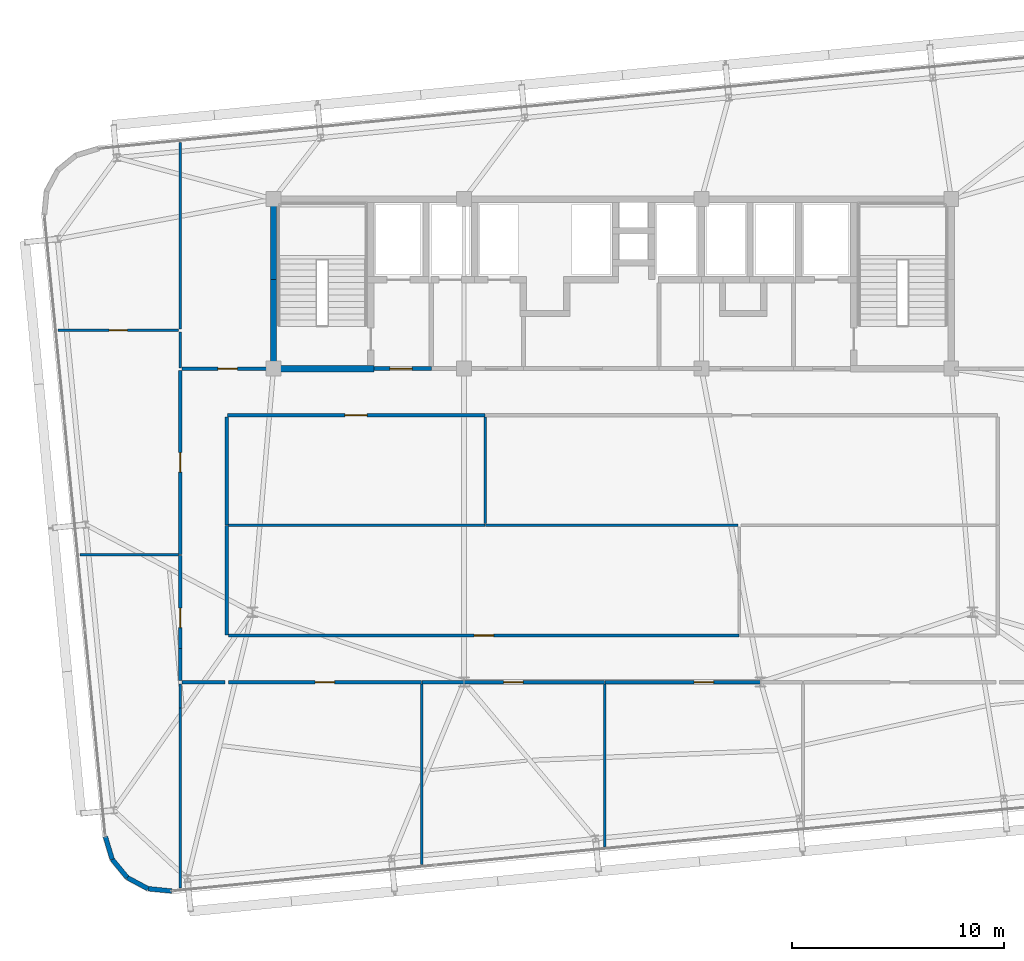
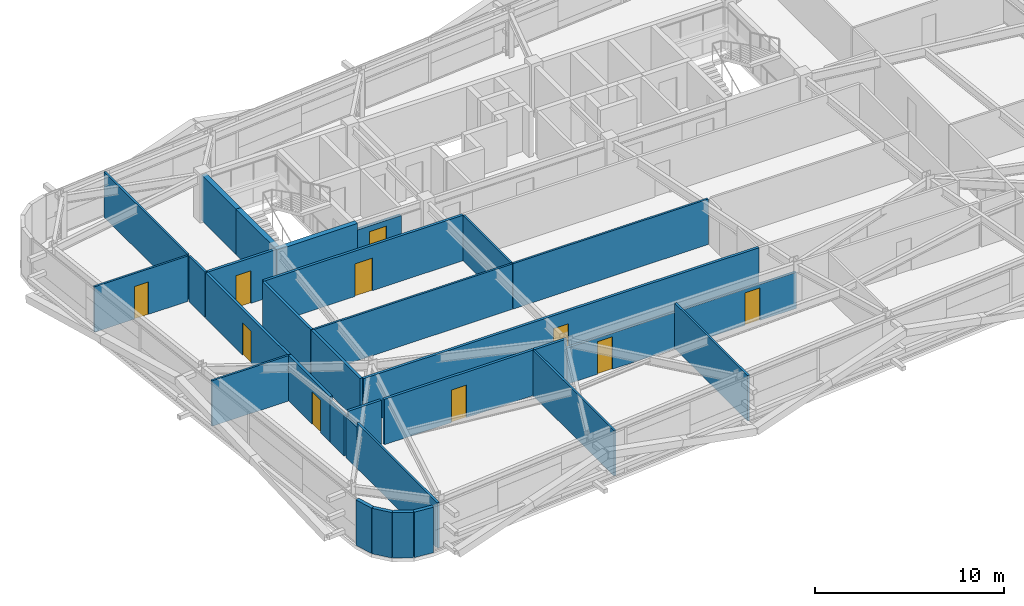
# One storey, part 41 of 47: 32 walls, 10 doors, 10 openings.
"""IFC4 building model written with IfcOpenShell, lengths in metres."""

from ifc_helpers import new_model, si_unit, direction, frame, frame_2d, origin, place, context, subcontext, project, spatial, rectangle, extrude, source, transform, mapped, material, layer, layer_set, type_object, element, fill, save


model = new_model("IFC4")

# Units and contexts
model_context = context("Model", 3, precision=1e-05, world=origin(), true_north=direction((0.0, 1.0)))
body_context = subcontext(model_context, "Body", "Model", "MODEL_VIEW")
ifc_project = project(units=[si_unit("LENGTHUNIT", "METRE"), si_unit("AREAUNIT", "SQUARE_METRE"), si_unit("VOLUMEUNIT", "CUBIC_METRE"), si_unit("PLANEANGLEUNIT", "RADIAN"), si_unit("MASSUNIT", "GRAM", prefix="KILO")], contexts=[model_context])

# Site, building, storey
site_placement = place(None, origin())
site = spatial("IfcSite", under=ifc_project, at=site_placement, CompositionType="ELEMENT")
building_placement = place(site_placement, origin())
building = spatial("IfcBuilding", under=site, at=building_placement, Name="Taldren Reach Tower", CompositionType="ELEMENT")
storey_placement = place(building_placement, frame((0.0, 0.0, 87.14990234375)))
storey = spatial("IfcBuildingStorey", under=building, at=storey_placement, Name="L26", CompositionType="ELEMENT", Elevation=87.14990234375)

# Walls
ifc_material_1 = material(Name="Pale Champagne Anodised Aluminium Cladding", Category="aluminium")
ifc_layer_1 = layer(ifc_material_1, 0.04, Name="Pale Champagne Anodised Aluminium Cladding", Category="aluminium")
ifc_material_2 = material(Name="Mineral Wool Acoustic Insulation", Category="insulation")
ifc_layer_2 = layer(ifc_material_2, 0.06, Name="Mineral Wool Acoustic Insulation", Category="insulation")
ifc_material_3 = material(Name="Steel Gr 350 (C350L0)", Category="steel")
ifc_layer_3 = layer(ifc_material_3, 0.12, Name="Steel Gr 350 (C350L0)", Category="steel")
ifc_layer_set_1 = layer_set([ifc_layer_1, ifc_layer_2, ifc_layer_3], Name="Pale Champagne Aluminium Cladding and Steel Gr 350 Stud Framing")
wall_type_1 = type_object("IfcWallType", Name="EW-CRN-220", PredefinedType="SOLIDWALL", material=ifc_layer_set_1)
shared_shape_1 = source(origin(), body_context, "Body", "SweptSolid", [
    extrude(rectangle(XDim=1.115966796875, YDim=0.219970703125, at=frame_2d((0.55810546875, 0.0))), origin(), (0.0, 0.0, 1.0), 2.93017578125),
])
for number, where, z_axis, x_axis, name in (
    (1, (11.062255859375, 1.90185546875, 0.0), (0.0, 0.0, 1.0), (0.289855603468, -0.957070388811, 0.0), "Rounded-corner pale-metal facade wall L26-SW1"),
    (2, (11.3857421875, 0.833740234375, 0.0), (0.0, 0.0, 1.0), (0.633988016432, -0.773342870285, 0.0), "Rounded-corner pale-metal facade wall L26-SW2"),
    (3, (13.0771484375, -0.5556640625, 0.0), (0.0, 0.0, 1.0), (0.995142755671, -0.09844234778, 0.0), "Rounded-corner pale-metal facade wall L26-SW4"),
):
    element("IfcWall", number, at=place(storey_placement, frame(where, z_axis=z_axis, x_axis=x_axis)), inside=storey, type_object=wall_type_1, Name=name, PredefinedType="SOLIDWALL", context=body_context, shape_type="MappedRepresentation", body=[
        mapped(shared_shape_1, transform((0.0, 0.0, 0.0), scale=1.0)),
    ])
shared_shape_2 = source(origin(), body_context, "Body", "SweptSolid", [
    extrude(rectangle(XDim=1.11572265625, YDim=0.219970703125, at=frame_2d((0.557861328125, 0.0))), origin(), (0.0, 0.0, 1.0), 2.93017578125),
])
wall_1_placement = place(storey_placement, frame((12.09326171875, -0.029296875, 0.0), z_axis=(0.0, 0.0, 1.0), x_axis=(0.881746547635, -0.471723463201, 0.0)))
element("IfcWall", 4, at=wall_1_placement, inside=storey, type_object=wall_type_1, Name="Rounded-corner pale-metal facade wall L26-SW3", PredefinedType="SOLIDWALL", context=body_context, shape_type="MappedRepresentation", body=[
    mapped(shared_shape_2, transform((0.0, 0.0, 0.0), scale=1.0)),
])
ifc_material_4 = material(Name="Fire-Rated Acoustic Plasterboard Stud Wall", Category="gypsum")
ifc_layer_4 = layer(ifc_material_4, 0.159912109375)
ifc_layer_set_2 = layer_set([ifc_layer_4], Name="Fire-Rated Acoustic Plasterboard Stud Wall")
wall_type_2 = type_object("IfcWallType", Name="IW-FIRE-160", PredefinedType="PARTITIONING", material=ifc_layer_set_2)
shared_shape_3 = source(origin(), body_context, "Body", "SweptSolid", [
    extrude(rectangle(XDim=5.15966796875, YDim=0.159912109375, at=frame_2d((2.579833984375, 0.0))), origin(), (0.0, 0.0, 1.0), 2.93017578125),
])
wall_2_placement = place(storey_placement, frame((16.800048828125, 16.579833984375, 0.0), z_axis=(0.0, 0.0, 1.0), x_axis=(0.0, -1.0, 0.0)))
element("IfcWall", 5, at=wall_2_placement, inside=storey, type_object=wall_type_2, Name="Interior Partition Wall W-INT-L26-045", PredefinedType="PARTITIONING", context=body_context, shape_type="MappedRepresentation", body=[
    mapped(shared_shape_3, transform((0.0, 0.0, 0.0), scale=1.0)),
])

# Wall, opening, door
shared_shape_4 = source(origin(), body_context, "Body", "SweptSolid", [
    extrude(rectangle(XDim=12.159423828125, YDim=0.159912109375, at=frame_2d((6.07958984375, 0.0))), origin(), (0.0, 0.0, 1.0), 2.93017578125),
])
wall_3_placement = place(storey_placement, frame((28.979736328125, 21.800048828125, 0.0), z_axis=(0.0, 0.0, 1.0), x_axis=(-1.0, 0.0, 0.0)))
wall_3 = element("IfcWall", 6, at=wall_3_placement, inside=storey, type_object=wall_type_2, Name="Interior Partition Wall W-INT-L26-047", PredefinedType="PARTITIONING", context=body_context, shape_type="MappedRepresentation", body=[
    mapped(shared_shape_4, transform((0.0, 0.0, 0.0), scale=1.0)),
])
shared_shape_5 = source(origin(), body_context, "Body", "SweptSolid", [
    extrude(rectangle(XDim=1.050048828125, YDim=2.10009765625, at=frame_2d((0.52490234375, 1.050048828125))), frame((0.0, 0.08984375, 0.0), z_axis=(0.0, -1.0, 0.0), x_axis=(1.0, 0.0, 0.0)), (0.0, 0.0, 1.0), 0.179931640625),
])
opening_1_placement = place(wall_3_placement, frame((5.5546875, 0.0, 0.0)))
opening_1 = element("IfcOpeningElement", 7, at=opening_1_placement, cuts=wall_3, Name="Opening DF-105", PredefinedType="OPENING", context=body_context, shape_type="MappedRepresentation", body=[
    mapped(shared_shape_5, transform((0.0, 0.0, 0.0), scale=1.0)),
])
ifc_material_5 = material(Name="Fire-Rated Care and Stair Exit Door")
door_type_1 = type_object("IfcDoorType", Name="ID-FIRE-105", OperationType="NOTDEFINED", PredefinedType="DOOR", material=ifc_material_5)
shared_shape_6 = source(origin(), body_context, "Body", "SweptSolid", [
    extrude(rectangle(XDim=1.050048828125, YDim=2.10009765625, at=frame_2d((0.52490234375, 1.050048828125))), frame((0.0, 0.02490234375, 0.0), z_axis=(0.0, -1.0, 0.0), x_axis=(1.0, 0.0, 0.0)), (0.0, 0.0, 1.0), 0.050048828125),
])
door_1_placement = place(opening_1_placement, origin())
door_1 = element("IfcDoor", 8, at=door_1_placement, inside=storey, type_object=door_type_1, Name="Interior Door DR-L26-008", OperationType="SINGLE_SWING_LEFT", OverallHeight=2.10009765625, OverallWidth=1.050048828125, PredefinedType="DOOR", context=body_context, shape_type="MappedRepresentation", body=[
    mapped(shared_shape_6, transform((0.0, 0.0, 0.0), scale=1.0)),
])
fill(opening_1, door_1)

# Walls
shared_shape_7 = source(origin(), body_context, "Body", "SweptSolid", [
    extrude(rectangle(XDim=5.099853515625, YDim=0.159912109375, at=frame_2d((2.5498046875, 0.0))), origin(), (0.0, 0.0, 1.0), 2.93017578125),
])
wall_4_placement = place(storey_placement, frame((16.800048828125, 21.719970703125, 0.0), z_axis=(0.0, 0.0, 1.0), x_axis=(0.0, -1.0, 0.0)))
element("IfcWall", 9, at=wall_4_placement, inside=storey, type_object=wall_type_2, Name="Interior Partition Wall W-INT-L26-048", PredefinedType="PARTITIONING", context=body_context, shape_type="MappedRepresentation", body=[
    mapped(shared_shape_7, transform((0.0, 0.0, 0.0), scale=1.0)),
])
shared_shape_8 = source(origin(), body_context, "Body", "SweptSolid", [
    extrude(rectangle(XDim=2.0400390625, YDim=0.159912109375, at=frame_2d((1.02001953125, 0.0))), origin(), (0.0, 0.0, 1.0), 2.93017578125),
])
wall_5_placement = place(storey_placement, frame((16.719970703125, 9.199951171875, 0.0), z_axis=(0.0, 0.0, 1.0), x_axis=(-1.0, 0.0, 0.0)))
element("IfcWall", 10, at=wall_5_placement, inside=storey, type_object=wall_type_2, Name="Interior Partition Wall W-INT-L26-051", PredefinedType="PARTITIONING", context=body_context, shape_type="MappedRepresentation", body=[
    mapped(shared_shape_8, transform((0.0, 0.0, 0.0), scale=1.0)),
])

# Wall, opening, door
shared_shape_9 = source(origin(), body_context, "Body", "SweptSolid", [
    extrude(rectangle(XDim=24.099853515625, YDim=0.159912109375, at=frame_2d((12.0498046875, 0.0))), origin(), (0.0, 0.0, 1.0), 2.93017578125),
])
wall_6_placement = place(storey_placement, frame((16.8798828125, 11.39990234375, 0.0), z_axis=(0.0, 0.0, 1.0), x_axis=(1.0, 0.0, 0.0)))
wall_6 = element("IfcWall", 11, at=wall_6_placement, inside=storey, type_object=wall_type_2, Name="Interior Partition Wall W-INT-L26-059", PredefinedType="PARTITIONING", context=body_context, shape_type="MappedRepresentation", body=[
    mapped(shared_shape_9, transform((0.0, 0.0, 0.0), scale=1.0)),
])
shared_shape_10 = source(origin(), body_context, "Body", "SweptSolid", [
    extrude(rectangle(XDim=0.919921875, YDim=2.10009765625, at=frame_2d((0.4599609375, 1.050048828125))), frame((0.0, 0.08984375, 0.0), z_axis=(0.0, -1.0, 0.0), x_axis=(1.0, 0.0, 0.0)), (0.0, 0.0, 1.0), 0.179931640625),
])
opening_2_placement = place(wall_6_placement, frame((11.58984375, 0.0, 0.0)))
opening_2 = element("IfcOpeningElement", 12, at=opening_2_placement, cuts=wall_6, Name="Opening DI-092", PredefinedType="OPENING", context=body_context, shape_type="MappedRepresentation", body=[
    mapped(shared_shape_10, transform((0.0, 0.0, 0.0), scale=1.0)),
])
ifc_material_6 = material(Name="Solid-Core Timber Suite Door", Category="wood")
door_type_2 = type_object("IfcDoorType", Name="ID-INT-092", OperationType="NOTDEFINED", PredefinedType="DOOR", material=ifc_material_6)
shared_shape_11 = source(origin(), body_context, "Body", "SweptSolid", [
    extrude(rectangle(XDim=0.919921875, YDim=2.10009765625, at=frame_2d((0.4599609375, 1.050048828125))), frame((0.0, 0.02490234375, 0.0), z_axis=(0.0, -1.0, 0.0), x_axis=(1.0, 0.0, 0.0)), (0.0, 0.0, 1.0), 0.050048828125),
])
door_2_placement = place(opening_2_placement, origin())
door_2 = element("IfcDoor", 13, at=door_2_placement, inside=storey, type_object=door_type_2, Name="Interior Door DR-L26-015", OperationType="SINGLE_SWING_RIGHT", OverallHeight=2.10009765625, OverallWidth=0.919921875, PredefinedType="DOOR", context=body_context, shape_type="MappedRepresentation", body=[
    mapped(shared_shape_11, transform((0.0, 0.0, 0.0), scale=1.0)),
])
fill(opening_2, door_2)

# Walls
ifc_material_7 = material(Name="Insulated Residential Stud Partition", Category="gypsum")
ifc_layer_5 = layer(ifc_material_7, 0.1201171875)
ifc_layer_set_3 = layer_set([ifc_layer_5], Name="Insulated Residential Stud Partition")
wall_type_3 = type_object("IfcWallType", Name="IW-PART-120", PredefinedType="PARTITIONING", material=ifc_layer_set_3)
shared_shape_12 = source(origin(), body_context, "Body", "SweptSolid", [
    extrude(rectangle(XDim=12.099853515625, YDim=0.1201171875, at=frame_2d((6.0498046875, 0.0))), origin(), (0.0, 0.0, 1.0), 2.93017578125),
])
wall_7_placement = place(storey_placement, frame((16.8798828125, 16.60009765625, 0.0), z_axis=(0.0, 0.0, 1.0), x_axis=(1.0, 0.0, 0.0)))
element("IfcWall", 14, at=wall_7_placement, inside=storey, type_object=wall_type_3, Name="Interior Partition Wall W-INT-L26-066", PredefinedType="PARTITIONING", context=body_context, shape_type="MappedRepresentation", body=[
    mapped(shared_shape_12, transform((0.0, 0.0, 0.0), scale=1.0)),
])
shared_shape_13 = source(origin(), body_context, "Body", "SweptSolid", [
    extrude(rectangle(XDim=11.899658203125, YDim=0.1201171875, at=frame_2d((5.94970703125, 0.0))), origin(), (0.0, 0.0, 1.0), 2.93017578125),
])
wall_8_placement = place(storey_placement, frame((29.020263671875, 16.60009765625, 0.0), z_axis=(0.0, 0.0, 1.0), x_axis=(1.0, 0.0, 0.0)))
element("IfcWall", 15, at=wall_8_placement, inside=storey, type_object=wall_type_3, Name="Interior Partition Wall W-INT-L26-067", PredefinedType="PARTITIONING", context=body_context, shape_type="MappedRepresentation", body=[
    mapped(shared_shape_13, transform((0.0, 0.0, 0.0), scale=1.0)),
])
shared_shape_14 = source(origin(), body_context, "Body", "SweptSolid", [
    extrude(rectangle(XDim=5.0400390625, YDim=0.1201171875, at=frame_2d((2.52001953125, 0.0))), origin(), (0.0, 0.0, 1.0), 2.93017578125),
])
wall_9_placement = place(storey_placement, frame((29.0, 21.719970703125, 0.0), z_axis=(0.0, 0.0, 1.0), x_axis=(0.0, -1.0, 0.0)))
element("IfcWall", 16, at=wall_9_placement, inside=storey, type_object=wall_type_3, Name="Interior Partition Wall W-INT-L26-069", PredefinedType="PARTITIONING", context=body_context, shape_type="MappedRepresentation", body=[
    mapped(shared_shape_14, transform((0.0, 0.0, 0.0), scale=1.0)),
])
ifc_material_8 = material(Name="Concrete S65 (65 MPa)", Category="concrete")
ifc_layer_6 = layer(ifc_material_8, 0.300048828125)
ifc_layer_set_4 = layer_set([ifc_layer_6], Name="Concrete S65 (65 MPa)")
wall_type_4 = type_object("IfcWallType", Name="IW-CORE-300", PredefinedType="SHEAR", material=ifc_layer_set_4)
shared_shape_15 = source(origin(), body_context, "Body", "SweptSolid", [
    extrude(rectangle(XDim=4.050048828125, YDim=0.300048828125, at=frame_2d((2.02490234375, 0.0))), origin(), (0.0, 0.0, 1.0), 2.93017578125),
])
wall_10_placement = place(storey_placement, frame((19.0, 24.14990234375, 0.0), z_axis=(0.0, 0.0, 1.0), x_axis=(0.0, 1.0, 0.0)))
element("IfcWall", 17, at=wall_10_placement, inside=storey, type_object=wall_type_4, Name="Rear Core Shear Wall W-CORE-L26-WEST1", PredefinedType="SHEAR", context=body_context, shape_type="MappedRepresentation", body=[
    mapped(shared_shape_15, transform((0.0, 0.0, 0.0), scale=1.0)),
])
shared_shape_16 = source(origin(), body_context, "Body", "SweptSolid", [
    extrude(rectangle(XDim=3.650146484375, YDim=0.300048828125, at=frame_2d((1.8251953125, 0.0))), origin(), (0.0, 0.0, 1.0), 2.93017578125),
])
wall_11_placement = place(storey_placement, frame((19.0, 28.199951171875, 0.0), z_axis=(0.0, 0.0, 1.0), x_axis=(0.0, 1.0, 0.0)))
element("IfcWall", 18, at=wall_11_placement, inside=storey, type_object=wall_type_4, Name="Rear Core Shear Wall W-CORE-L26-WEST2", PredefinedType="SHEAR", context=body_context, shape_type="MappedRepresentation", body=[
    mapped(shared_shape_16, transform((0.0, 0.0, 0.0), scale=1.0)),
])
shared_shape_17 = source(origin(), body_context, "Body", "SweptSolid", [
    extrude(rectangle(XDim=4.89990234375, YDim=0.300048828125, at=frame_2d((2.449951171875, 0.0))), origin(), (0.0, 0.0, 1.0), 2.93017578125),
])
wall_12_placement = place(storey_placement, frame((18.85009765625, 24.0, 0.0), z_axis=(0.0, 0.0, 1.0), x_axis=(1.0, 0.0, 0.0)))
element("IfcWall", 19, at=wall_12_placement, inside=storey, type_object=wall_type_4, Name="Rear Core Shear Wall W-INT-L26-003", PredefinedType="SHEAR", context=body_context, shape_type="MappedRepresentation", body=[
    mapped(shared_shape_17, transform((0.0, 0.0, 0.0), scale=1.0)),
])

# Wall, opening, door
ifc_material_9 = material(Name="Concrete S50 (50 MPa)", Category="concrete")
ifc_layer_7 = layer(ifc_material_9, 0.199951171875)
ifc_layer_set_5 = layer_set([ifc_layer_7], Name="Concrete S50 (50 MPa)")
wall_type_5 = type_object("IfcWallType", Name="IW-CORE-200", PredefinedType="SOLIDWALL", material=ifc_layer_set_5)
shared_shape_18 = source(origin(), body_context, "Body", "SweptSolid", [
    extrude(rectangle(XDim=2.699951171875, YDim=0.199951171875, at=frame_2d((1.35009765625, 0.0))), origin(), (0.0, 0.0, 1.0), 2.47021484375),
])
wall_13_placement = place(storey_placement, frame((23.75, 24.0, 0.0), z_axis=(0.0, 0.0, 1.0), x_axis=(1.0, 0.0, 0.0)))
wall_13 = element("IfcWall", 20, at=wall_13_placement, inside=storey, type_object=wall_type_5, Name="Rear Core Shear Wall W-INT-L26-007", PredefinedType="SOLIDWALL", context=body_context, shape_type="MappedRepresentation", body=[
    mapped(shared_shape_18, transform((0.0, 0.0, 0.0), scale=1.0)),
])
shared_shape_19 = source(origin(), body_context, "Body", "SweptSolid", [
    extrude(rectangle(XDim=1.050048828125, YDim=2.10009765625, at=frame_2d((0.52490234375, 1.050048828125))), frame((0.0, 0.10986328125, 0.0), z_axis=(0.0, -1.0, 0.0), x_axis=(1.0, 0.0, 0.0)), (0.0, 0.0, 1.0), 0.219970703125),
])
opening_3_placement = place(wall_13_placement, frame((0.75, 0.0, 0.0)))
opening_3 = element("IfcOpeningElement", 21, at=opening_3_placement, cuts=wall_13, Name="Opening DF-105", PredefinedType="OPENING", context=body_context, shape_type="MappedRepresentation", body=[
    mapped(shared_shape_19, transform((0.0, 0.0, 0.0), scale=1.0)),
])
door_3_placement = place(opening_3_placement, origin())
door_3 = element("IfcDoor", 22, at=door_3_placement, inside=storey, type_object=door_type_1, Name="Interior Door DR-L26-002", OperationType="SINGLE_SWING_LEFT", OverallHeight=2.10009765625, OverallWidth=1.050048828125, PredefinedType="DOOR", context=body_context, shape_type="MappedRepresentation", body=[
    mapped(shared_shape_6, transform((0.0, 0.0, 0.0), scale=1.0)),
])
fill(opening_3, door_3)

shared_shape_20 = source(origin(), body_context, "Body", "SweptSolid", [
    extrude(rectangle(XDim=4.170166015625, YDim=0.159912109375, at=frame_2d((2.0849609375, 0.0))), origin(), (0.0, 0.0, 1.0), 2.93017578125),
])
wall_14_placement = place(storey_placement, frame((14.679931640625, 24.0, 0.0), z_axis=(0.0, 0.0, 1.0), x_axis=(1.0, 0.0, 0.0)))
wall_14 = element("IfcWall", 23, at=wall_14_placement, inside=storey, type_object=wall_type_2, Name="Interior Partition Wall W-INT-L26-057", PredefinedType="PARTITIONING", context=body_context, shape_type="MappedRepresentation", body=[
    mapped(shared_shape_20, transform((0.0, 0.0, 0.0), scale=1.0)),
])
opening_4_placement = place(wall_14_placement, frame((1.68994140625, 0.0, 0.0)))
opening_4 = element("IfcOpeningElement", 24, at=opening_4_placement, cuts=wall_14, Name="Opening DI-092", PredefinedType="OPENING", context=body_context, shape_type="MappedRepresentation", body=[
    mapped(shared_shape_10, transform((0.0, 0.0, 0.0), scale=1.0)),
])
door_4_placement = place(opening_4_placement, origin())
door_4 = element("IfcDoor", 25, at=door_4_placement, inside=storey, type_object=door_type_2, Name="Interior Door DR-L26-014", OperationType="SINGLE_SWING_LEFT", OverallHeight=2.10009765625, OverallWidth=0.919921875, PredefinedType="DOOR", context=body_context, shape_type="MappedRepresentation", body=[
    mapped(shared_shape_11, transform((0.0, 0.0, 0.0), scale=1.0)),
])
fill(opening_4, door_4)

# Wall
shared_shape_21 = source(origin(), body_context, "Body", "SweptSolid", [
    extrude(rectangle(XDim=1.498291015625, YDim=0.159912109375, at=frame_2d((0.7490234375, 0.0))), origin(), (0.0, 0.0, 1.0), 2.623046875),
])
wall_15_placement = place(storey_placement, frame((14.60009765625, 9.280029296875, 0.0), z_axis=(0.0, 0.0, 1.0), x_axis=(0.0, 1.0, 0.0)))
element("IfcWall", 26, at=wall_15_placement, inside=storey, type_object=wall_type_2, Name="Interior Partition Wall W-INT-L26-053", PredefinedType="PARTITIONING", context=body_context, shape_type="MappedRepresentation", body=[
    mapped(shared_shape_21, transform((0.0, 0.0, 0.0), scale=1.0)),
])

# Wall, opening, door
shared_shape_22 = source(origin(), body_context, "Body", "SweptSolid", [
    extrude(rectangle(XDim=4.4013671875, YDim=0.159912109375, at=frame_2d((2.20068359375, 0.0))), origin(), (0.0, 0.0, 1.0), 2.93017578125),
])
wall_16_placement = place(storey_placement, frame((14.60009765625, 10.7783203125, 0.0), z_axis=(0.0, 0.0, 1.0), x_axis=(0.0, 1.0, 0.0)))
wall_16 = element("IfcWall", 27, at=wall_16_placement, inside=storey, type_object=wall_type_2, Name="Interior Partition Wall W-INT-L26-053 part 2", PredefinedType="PARTITIONING", context=body_context, shape_type="MappedRepresentation", body=[
    mapped(shared_shape_22, transform((0.0, 0.0, 0.0), scale=1.0)),
])
opening_5_placement = place(wall_16_placement, frame((0.991455078125, 0.0, 0.0)))
opening_5 = element("IfcOpeningElement", 28, at=opening_5_placement, cuts=wall_16, Name="Opening DI-092", PredefinedType="OPENING", context=body_context, shape_type="MappedRepresentation", body=[
    mapped(shared_shape_10, transform((0.0, 0.0, 0.0), scale=1.0)),
])
door_5_placement = place(opening_5_placement, origin())
door_5 = element("IfcDoor", 29, at=door_5_placement, inside=storey, type_object=door_type_2, Name="Interior Door DR-L26-010", OperationType="SINGLE_SWING_LEFT", OverallHeight=2.10009765625, OverallWidth=0.919921875, PredefinedType="DOOR", context=body_context, shape_type="MappedRepresentation", body=[
    mapped(shared_shape_11, transform((0.0, 0.0, 0.0), scale=1.0)),
])
fill(opening_5, door_5)

shared_shape_23 = source(origin(), body_context, "Body", "SweptSolid", [
    extrude(rectangle(XDim=8.69970703125, YDim=0.159912109375, at=frame_2d((4.349853515625, 0.0))), origin(), (0.0, 0.0, 1.0), 2.93017578125),
])
wall_17_placement = place(storey_placement, frame((14.60009765625, 15.22021484375, 0.0), z_axis=(0.0, 0.0, 1.0), x_axis=(0.0, 1.0, 0.0)))
wall_17 = element("IfcWall", 30, at=wall_17_placement, inside=storey, type_object=wall_type_2, Name="Interior Partition Wall W-INT-L26-054", PredefinedType="PARTITIONING", context=body_context, shape_type="MappedRepresentation", body=[
    mapped(shared_shape_23, transform((0.0, 0.0, 0.0), scale=1.0)),
])
opening_6_placement = place(wall_17_placement, frame((3.889892578125, 0.0, 0.0)))
opening_6 = element("IfcOpeningElement", 31, at=opening_6_placement, cuts=wall_17, Name="Opening DI-092", PredefinedType="OPENING", context=body_context, shape_type="MappedRepresentation", body=[
    mapped(shared_shape_10, transform((0.0, 0.0, 0.0), scale=1.0)),
])
door_6_placement = place(opening_6_placement, origin())
door_6 = element("IfcDoor", 32, at=door_6_placement, inside=storey, type_object=door_type_2, Name="Interior Door DR-L26-011", OperationType="SINGLE_SWING_RIGHT", OverallHeight=2.10009765625, OverallWidth=0.919921875, PredefinedType="DOOR", context=body_context, shape_type="MappedRepresentation", body=[
    mapped(shared_shape_11, transform((0.0, 0.0, 0.0), scale=1.0)),
])
fill(opening_6, door_6)

shared_shape_24 = source(origin(), body_context, "Body", "SweptSolid", [
    extrude(rectangle(XDim=9.099853515625, YDim=0.159912109375, at=frame_2d((4.5498046875, 0.0))), origin(), (0.0, 0.0, 1.0), 2.93017578125),
])
wall_18_placement = place(storey_placement, frame((25.979736328125, 9.199951171875, 0.0), z_axis=(0.0, 0.0, 1.0), x_axis=(-1.0, 0.0, 0.0)))
wall_18 = element("IfcWall", 33, at=wall_18_placement, inside=storey, type_object=wall_type_2, Name="Interior Partition Wall W-INT-L26-061", PredefinedType="PARTITIONING", context=body_context, shape_type="MappedRepresentation", body=[
    mapped(shared_shape_24, transform((0.0, 0.0, 0.0), scale=1.0)),
])
opening_7_placement = place(wall_18_placement, frame((4.08984375, 0.0, 0.0)))
opening_7 = element("IfcOpeningElement", 34, at=opening_7_placement, cuts=wall_18, Name="Opening DI-092", PredefinedType="OPENING", context=body_context, shape_type="MappedRepresentation", body=[
    mapped(shared_shape_10, transform((0.0, 0.0, 0.0), scale=1.0)),
])
door_7_placement = place(opening_7_placement, origin())
door_7 = element("IfcDoor", 35, at=door_7_placement, inside=storey, type_object=door_type_2, Name="Interior Door DR-L26-017", OperationType="SINGLE_SWING_RIGHT", OverallHeight=2.10009765625, OverallWidth=0.919921875, PredefinedType="DOOR", context=body_context, shape_type="MappedRepresentation", body=[
    mapped(shared_shape_11, transform((0.0, 0.0, 0.0), scale=1.0)),
])
fill(opening_7, door_7)

shared_shape_25 = source(origin(), body_context, "Body", "SweptSolid", [
    extrude(rectangle(XDim=6.619873046875, YDim=0.159912109375, at=frame_2d((3.31005859375, 0.0))), origin(), (0.0, 0.0, 1.0), 2.328125),
])
wall_19_placement = place(storey_placement, frame((34.619873046875, 9.199951171875, 0.0), z_axis=(0.0, 0.0, 1.0), x_axis=(-1.0, 0.0, 0.0)))
wall_19 = element("IfcWall", 36, at=wall_19_placement, inside=storey, type_object=wall_type_2, Name="Interior Partition Wall W-INT-L26-062", PredefinedType="PARTITIONING", context=body_context, shape_type="MappedRepresentation", body=[
    mapped(shared_shape_25, transform((0.0, 0.0, 0.0), scale=1.0)),
])
opening_8_placement = place(wall_19_placement, frame((3.839599609375, 0.0, 0.0)))
opening_8 = element("IfcOpeningElement", 37, at=opening_8_placement, cuts=wall_19, Name="Opening DI-092", PredefinedType="OPENING", context=body_context, shape_type="MappedRepresentation", body=[
    mapped(shared_shape_10, transform((0.0, 0.0, 0.0), scale=1.0)),
])
door_8_placement = place(opening_8_placement, origin())
door_8 = element("IfcDoor", 38, at=door_8_placement, inside=storey, type_object=door_type_2, Name="Interior Door DR-L26-018", OperationType="SINGLE_SWING_LEFT", OverallHeight=2.10009765625, OverallWidth=0.919921875, PredefinedType="DOOR", context=body_context, shape_type="MappedRepresentation", body=[
    mapped(shared_shape_11, transform((0.0, 0.0, 0.0), scale=1.0)),
])
fill(opening_8, door_8)

# Wall
shared_shape_26 = source(origin(), body_context, "Body", "SweptSolid", [
    extrude(rectangle(XDim=1.9794921875, YDim=0.159912109375, at=frame_2d((0.98974609375, 0.0))), origin(), (0.0, 0.0, 1.0), 2.93017578125),
])
wall_20_placement = place(storey_placement, frame((28.0, 9.199951171875, 0.0), z_axis=(0.0, 0.0, 1.0), x_axis=(-1.0, 0.0, 0.0)))
element("IfcWall", 39, at=wall_20_placement, inside=storey, type_object=wall_type_2, Name="Interior Partition Wall W-INT-L26-062 part 2", PredefinedType="PARTITIONING", context=body_context, shape_type="MappedRepresentation", body=[
    mapped(shared_shape_26, transform((0.0, 0.0, 0.0), scale=1.0)),
])

# Wall, opening, door
shared_shape_27 = source(origin(), body_context, "Body", "SweptSolid", [
    extrude(rectangle(XDim=7.33984375, YDim=0.159912109375, at=frame_2d((3.669921875, 0.0))), origin(), (0.0, 0.0, 1.0), 2.328125),
])
wall_21_placement = place(storey_placement, frame((42.0, 9.199951171875, 0.0), z_axis=(0.0, 0.0, 1.0), x_axis=(-1.0, 0.0, 0.0)))
wall_21 = element("IfcWall", 40, at=wall_21_placement, inside=storey, type_object=wall_type_2, Name="Interior Partition Wall W-INT-L26-063 part 2", PredefinedType="PARTITIONING", context=body_context, shape_type="MappedRepresentation", body=[
    mapped(shared_shape_27, transform((0.0, 0.0, 0.0), scale=1.0)),
])
opening_9_placement = place(wall_21_placement, frame((2.22021484375, 0.0, 0.0)))
opening_9 = element("IfcOpeningElement", 41, at=opening_9_placement, cuts=wall_21, Name="Opening DI-092", PredefinedType="OPENING", context=body_context, shape_type="MappedRepresentation", body=[
    mapped(shared_shape_10, transform((0.0, 0.0, 0.0), scale=1.0)),
])
door_9_placement = place(opening_9_placement, origin())
door_9 = element("IfcDoor", 42, at=door_9_placement, inside=storey, type_object=door_type_2, Name="Interior Door DR-L26-019", OperationType="SINGLE_SWING_RIGHT", OverallHeight=2.10009765625, OverallWidth=0.919921875, PredefinedType="DOOR", context=body_context, shape_type="MappedRepresentation", body=[
    mapped(shared_shape_11, transform((0.0, 0.0, 0.0), scale=1.0)),
])
fill(opening_9, door_9)

# Walls
shared_shape_28 = source(origin(), body_context, "Body", "SweptSolid", [
    extrude(rectangle(XDim=8.540771484375, YDim=0.1201171875, at=frame_2d((4.2705078125, 0.0))), origin(), (0.0, 0.0, 1.0), 2.93017578125),
])
wall_22_placement = place(storey_placement, frame((26.0, 9.117919921875, 0.0), z_axis=(0.0, 0.0, 1.0), x_axis=(0.0, -1.0, 0.0)))
element("IfcWall", 43, at=wall_22_placement, inside=storey, type_object=wall_type_3, Name="Interior Partition Wall W-INT-L26-070", PredefinedType="PARTITIONING", context=body_context, shape_type="MappedRepresentation", body=[
    mapped(shared_shape_28, transform((0.0, 0.0, 0.0), scale=1.0)),
])
shared_shape_29 = source(origin(), body_context, "Body", "SweptSolid", [
    extrude(rectangle(XDim=8.49951171875, YDim=0.1201171875, at=frame_2d((4.249755859375, 0.0))), origin(), (0.0, 0.0, 1.0), 2.93017578125),
])
wall_23_placement = place(storey_placement, frame((14.60009765625, -0.52490234375, 0.0), z_axis=(0.0, 0.0, 1.0), x_axis=(0.0, 1.0, 0.0)))
element("IfcWall", 44, at=wall_23_placement, inside=storey, type_object=wall_type_3, Name="Interior Partition Wall W-INT-L26-071", PredefinedType="PARTITIONING", context=body_context, shape_type="MappedRepresentation", body=[
    mapped(shared_shape_29, transform((0.0, 0.0, 0.0), scale=1.0)),
])
shared_shape_30 = source(origin(), body_context, "Body", "SweptSolid", [
    extrude(rectangle(XDim=1.143310546875, YDim=0.1201171875, at=frame_2d((0.57177734375, 0.0))), origin(), (0.0, 0.0, 1.0), 2.623046875),
])
wall_24_placement = place(storey_placement, frame((14.60009765625, 7.974609375, 0.0), z_axis=(0.0, 0.0, 1.0), x_axis=(0.0, 1.0, 0.0)))
element("IfcWall", 45, at=wall_24_placement, inside=storey, type_object=wall_type_3, Name="Interior Partition Wall W-INT-L26-071 part 2", PredefinedType="PARTITIONING", context=body_context, shape_type="MappedRepresentation", body=[
    mapped(shared_shape_30, transform((0.0, 0.0, 0.0), scale=1.0)),
])
shared_shape_31 = source(origin(), body_context, "Body", "SweptSolid", [
    extrude(rectangle(XDim=7.69775390625, YDim=0.1201171875, at=frame_2d((3.848876953125, 0.0))), origin(), (0.0, 0.0, 1.0), 2.93017578125),
])
wall_25_placement = place(storey_placement, frame((34.639892578125, 9.1201171875, 0.0), z_axis=(0.0, 0.0, 1.0), x_axis=(0.0, -1.0, 0.0)))
element("IfcWall", 46, at=wall_25_placement, inside=storey, type_object=wall_type_3, Name="Interior Partition Wall W-INT-L26-072", PredefinedType="PARTITIONING", context=body_context, shape_type="MappedRepresentation", body=[
    mapped(shared_shape_31, transform((0.0, 0.0, 0.0), scale=1.0)),
])
shared_shape_32 = source(origin(), body_context, "Body", "SweptSolid", [
    extrude(rectangle(XDim=4.663330078125, YDim=0.1201171875, at=frame_2d((2.33154296875, 0.0))), origin(), (0.0, 0.0, 1.0), 2.93017578125),
])
wall_26_placement = place(storey_placement, frame((9.856689453125, 15.199951171875, 0.0), z_axis=(0.0, 0.0, 1.0), x_axis=(1.0, 0.0, 0.0)))
element("IfcWall", 47, at=wall_26_placement, inside=storey, type_object=wall_type_3, Name="Interior Partition Wall W-INT-L26-075", PredefinedType="PARTITIONING", context=body_context, shape_type="MappedRepresentation", body=[
    mapped(shared_shape_32, transform((0.0, 0.0, 0.0), scale=1.0)),
])

# Wall, opening, door
shared_shape_33 = source(origin(), body_context, "Body", "SweptSolid", [
    extrude(rectangle(XDim=5.70263671875, YDim=0.1201171875, at=frame_2d((2.851318359375, 0.0))), origin(), (0.0, 0.0, 1.0), 2.93017578125),
])
wall_27_placement = place(storey_placement, frame((8.8173828125, 25.800048828125, 0.0), z_axis=(0.0, 0.0, 1.0), x_axis=(1.0, 0.0, 0.0)))
wall_27 = element("IfcWall", 48, at=wall_27_placement, inside=storey, type_object=wall_type_3, Name="Interior Partition Wall W-INT-L26-076", PredefinedType="PARTITIONING", context=body_context, shape_type="MappedRepresentation", body=[
    mapped(shared_shape_33, transform((0.0, 0.0, 0.0), scale=1.0)),
])
shared_shape_34 = source(origin(), body_context, "Body", "SweptSolid", [
    extrude(rectangle(XDim=0.860107421875, YDim=2.10009765625, at=frame_2d((0.43017578125, 1.050048828125))), frame((0.0, 0.070068359375, 0.0), z_axis=(0.0, -1.0, 0.0), x_axis=(1.0, 0.0, 0.0)), (0.0, 0.0, 1.0), 0.14013671875),
])
opening_10_placement = place(wall_27_placement, frame((2.42138671875, 0.0, 0.0)))
opening_10 = element("IfcOpeningElement", 49, at=opening_10_placement, cuts=wall_27, Name="Opening DI-086", PredefinedType="OPENING", context=body_context, shape_type="MappedRepresentation", body=[
    mapped(shared_shape_34, transform((0.0, 0.0, 0.0), scale=1.0)),
])
ifc_material_10 = material(Name="Timber Bathroom Door", Category="wood")
door_type_3 = type_object("IfcDoorType", Name="ID-INT-086", OperationType="NOTDEFINED", PredefinedType="DOOR", material=ifc_material_10)
shared_shape_35 = source(origin(), body_context, "Body", "SweptSolid", [
    extrude(rectangle(XDim=0.860107421875, YDim=2.10009765625, at=frame_2d((0.43017578125, 1.050048828125))), frame((0.0, 0.02490234375, 0.0), z_axis=(0.0, -1.0, 0.0), x_axis=(1.0, 0.0, 0.0)), (0.0, 0.0, 1.0), 0.050048828125),
])
door_10_placement = place(opening_10_placement, origin())
door_10 = element("IfcDoor", 50, at=door_10_placement, inside=storey, type_object=door_type_3, Name="Interior Door DR-L26-021", OperationType="SINGLE_SWING_RIGHT", OverallHeight=2.10009765625, OverallWidth=0.860107421875, PredefinedType="DOOR", context=body_context, shape_type="MappedRepresentation", body=[
    mapped(shared_shape_35, transform((0.0, 0.0, 0.0), scale=1.0)),
])
fill(opening_10, door_10)

# Walls
shared_shape_36 = source(origin(), body_context, "Body", "SweptSolid", [
    extrude(rectangle(XDim=1.69970703125, YDim=0.1201171875, at=frame_2d((0.849853515625, 0.0))), origin(), (0.0, 0.0, 1.0), 2.93017578125),
])
wall_28_placement = place(storey_placement, frame((14.60009765625, 25.719970703125, 0.0), z_axis=(0.0, 0.0, 1.0), x_axis=(0.0, -1.0, 0.0)))
element("IfcWall", 51, at=wall_28_placement, inside=storey, type_object=wall_type_3, Name="Interior Partition Wall W-INT-L26-077", PredefinedType="PARTITIONING", context=body_context, shape_type="MappedRepresentation", body=[
    mapped(shared_shape_36, transform((0.0, 0.0, 0.0), scale=1.0)),
])
shared_shape_37 = source(origin(), body_context, "Body", "SweptSolid", [
    extrude(rectangle(XDim=8.78564453125, YDim=0.1201171875, at=frame_2d((4.392822265625, 0.0))), origin(), (0.0, 0.0, 1.0), 2.93017578125),
])
wall_29_placement = place(storey_placement, frame((14.60009765625, 34.66552734375, 0.0), z_axis=(0.0, 0.0, 1.0), x_axis=(0.0, -1.0, 0.0)))
element("IfcWall", 52, at=wall_29_placement, inside=storey, type_object=wall_type_3, Name="Interior Partition Wall W-INT-L26-078", PredefinedType="PARTITIONING", context=body_context, shape_type="MappedRepresentation", body=[
    mapped(shared_shape_37, transform((0.0, 0.0, 0.0), scale=1.0)),
])

save(model, "model.ifc")
